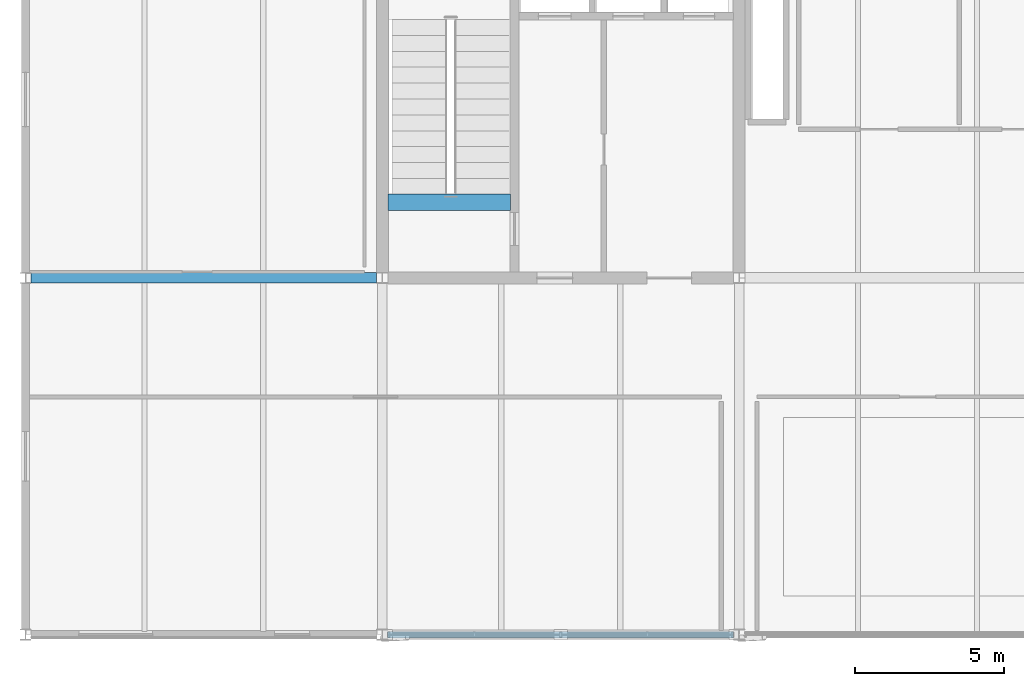
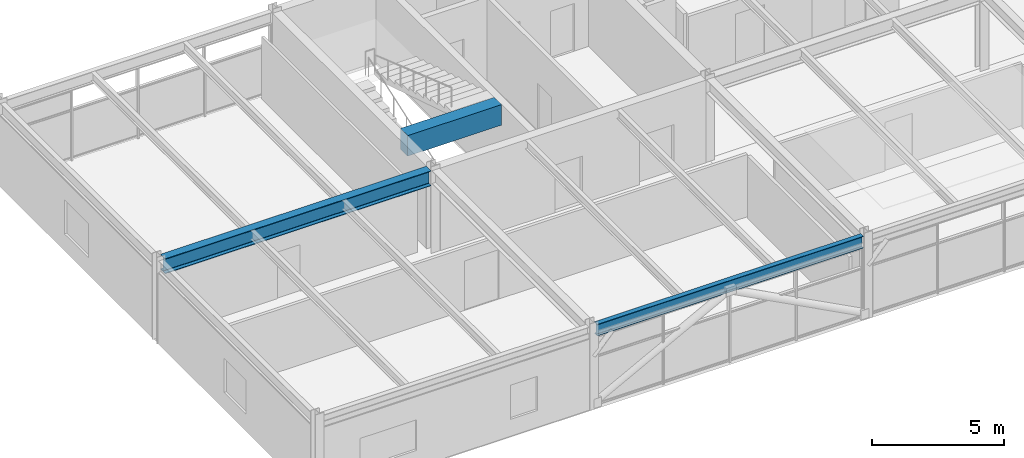
# One storey, part 6 of 40: 3 beams.
"""IFC4 building model written with IfcOpenShell, lengths in metres."""

from ifc_helpers import new_model, si_unit, direction, frame, origin, origin_2d, place, context, subcontext, project, spatial, rectangle, i_section, extrude, material, material_profile, profile_set, type_object, element, save


model = new_model("IFC4")

# Units and contexts
model_context = context("Model", 3, precision=1e-05, world=origin(), true_north=direction((0.0, 1.0)))
body_context = subcontext(model_context, "Body", "Model", "MODEL_VIEW")
ifc_project = project(units=[si_unit("LENGTHUNIT", "METRE"), si_unit("AREAUNIT", "SQUARE_METRE"), si_unit("VOLUMEUNIT", "CUBIC_METRE"), si_unit("PLANEANGLEUNIT", "RADIAN"), si_unit("MASSUNIT", "GRAM", prefix="KILO")], contexts=[model_context])

# Site, building, storey
site_placement = place(None, origin())
site = spatial("IfcSite", under=ifc_project, at=site_placement, CompositionType="ELEMENT")
building_placement = place(site_placement, origin())
building = spatial("IfcBuilding", under=site, at=building_placement, Name="Girod Span Mobility Hub", CompositionType="ELEMENT")
storey_placement = place(building_placement, frame((0.0, 0.0, 53.60009765625)))
storey = spatial("IfcBuildingStorey", under=building, at=storey_placement, Name="L13", CompositionType="ELEMENT", Elevation=53.60009765625)

# Beams
ifc_material_1 = material(Name="Concrete C40/50", Category="concrete")
ifc_material_profile_1 = material_profile(ifc_material_1, rectangle(XDim=0.550048828125, YDim=0.949951171875, at=origin_2d()), Name="RK-550X950")
ifc_profile_set_1 = profile_set([ifc_material_profile_1], Name="Concrete C40/50")
beam_type_1 = type_object("IfcBeamType", Name="BM-RK-550X950", PredefinedType="BEAM", material=ifc_profile_set_1)
beam_1_placement = place(storey_placement, frame((48.197021484375, 59.550048828125, 3.33984375), z_axis=(1.0, 0.0, 0.0), x_axis=(0.0, 1.0, 0.0)))
element("IfcBeam", 1, at=beam_1_placement, inside=storey, type_object=beam_type_1, Name="Stair ST-1 Landing Header Beam L13", PredefinedType="BEAM", context=body_context, shape_type="SweptSolid", body=[
    extrude(rectangle(XDim=0.550048828125, YDim=0.949951171875, at=origin_2d()), origin(), (0.0, 0.0, 1.0), 4.10595703125),
])
ifc_material_2 = material(Name="Steel A992 Grade 50", Category="steel")
ifc_material_profile_2 = material_profile(ifc_material_2, i_section(OverallWidth=0.2119140625, OverallDepth=0.5439453125, WebThickness=0.01318359375, FlangeThickness=0.021240234375, FilletRadius=0.014892578125, at=origin_2d()), Name="W21X83")
ifc_profile_set_2 = profile_set([ifc_material_profile_2], Name="Steel A992 Grade 50")
beam_type_2 = type_object("IfcBeamType", Name="BM-STL-W21X83", PredefinedType="SPANDREL", material=ifc_profile_set_2)
beam_2_placement = place(storey_placement, frame((48.181396484375, 45.0, 3.54296875), z_axis=(1.0, 0.0, 0.0), x_axis=(0.0, 1.0, 0.0)))
element("IfcBeam", 2, at=beam_2_placement, inside=storey, type_object=beam_type_2, Name="Girder 5-6/D L13", PredefinedType="SPANDREL", context=body_context, shape_type="SweptSolid", body=[
    extrude(i_section(OverallWidth=0.2119140625, OverallDepth=0.5439453125, WebThickness=0.01318359375, FlangeThickness=0.021240234375, FilletRadius=0.014892578125, at=origin_2d()), origin(), (0.0, 0.0, 1.0), 11.63720703125),
])
ifc_material_3 = material(Name="Steel A992 Grade 50", Category="steel")
ifc_material_profile_3 = material_profile(ifc_material_3, i_section(OverallWidth=0.35498046875, OverallDepth=0.695068359375, WebThickness=0.015380859375, FlangeThickness=0.02490234375, FilletRadius=0.01806640625, at=origin_2d()), Name="W27X146")
ifc_profile_set_3 = profile_set([ifc_material_profile_3], Name="Steel A992 Grade 50")
beam_type_3 = type_object("IfcBeamType", Name="BM-STL-W27X146", PredefinedType="BEAM", material=ifc_profile_set_3)
beam_3_placement = place(storey_placement, frame((36.181396484375, 57.0, 3.46728515625), z_axis=(1.0, 0.0, 0.0), x_axis=(0.0, 1.0, 0.0)))
element("IfcBeam", 3, at=beam_3_placement, inside=storey, type_object=beam_type_3, Name="Girder 4-5/E L13", PredefinedType="BEAM", context=body_context, shape_type="SweptSolid", body=[
    extrude(i_section(OverallWidth=0.35498046875, OverallDepth=0.695068359375, WebThickness=0.015380859375, FlangeThickness=0.02490234375, FilletRadius=0.01806640625, at=origin_2d()), origin(), (0.0, 0.0, 1.0), 11.62451171875),
])

save(model, "model.ifc")
